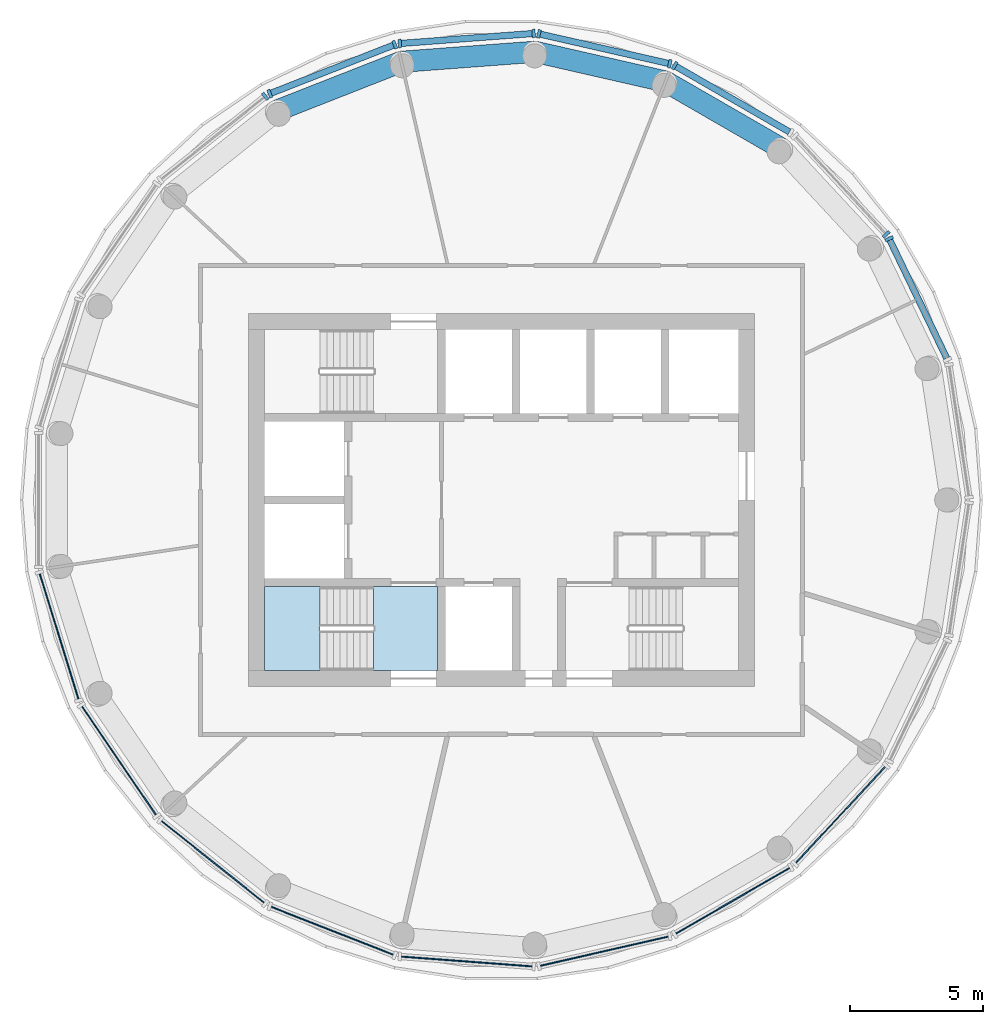
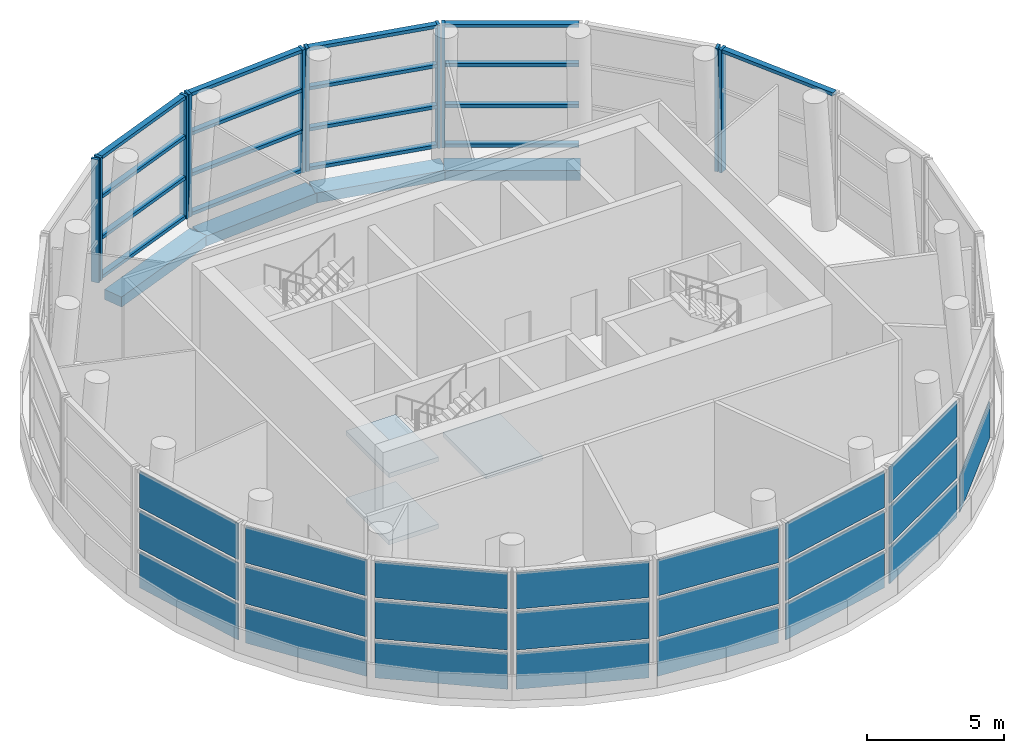
# One storey, part 3 of 10: 27 members, 22 plates, 4 beams, 3 slabs, 16 elements without a shape of their own.
"""IFC4 building model written with IfcOpenShell, lengths in metres."""

import ifcopenshell
import ifcopenshell.guid

model = None  # the IFC model being written
_history = None  # IfcOwnerHistory: only IFC2X3 demands one
_inside = {}  # id of a spatial element -> (the spatial element, [elements in it])
_under = {}  # id of a project, library or spatial element -> (it, [spatial elements below it])
_declared = {}  # id of a project -> (the project, [libraries it declares])
_typed = {}  # id of a type object -> (the type object, [elements of that type])
_made_of = {}  # id of a material, layer set ... -> (it, [elements and type objects made of it])


def new_model(schema):
    """Start an empty IFC model of exactly this schema.

    Asked for "IFC4X3", IfcOpenShell would pick the latest addendum, in which some entities
    have other attributes; the version numbers below select the first issue.
    IFC2X3 requires an IfcOwnerHistory on every rooted entity: one is made here for all.
    """
    global model, _history
    if schema == "IFC4X3":
        model = ifcopenshell.file(schema_version=(4, 3, 0, 0))
    else:
        model = ifcopenshell.file(schema=schema)
    _inside.clear()
    _under.clear()
    _declared.clear()
    _typed.clear()
    _made_of.clear()
    _history = None
    if model.schema == "IFC2X3":
        org = make("IfcOrganization", Name="unknown")
        user = make(
            "IfcPersonAndOrganization",
            ThePerson=make("IfcPerson", FamilyName="unknown"),
            TheOrganization=org,
        )
        app = make(
            "IfcApplication",
            ApplicationDeveloper=org,
            Version="unknown",
            ApplicationFullName="unknown",
            ApplicationIdentifier="unknown",
        )
        _history = make(
            "IfcOwnerHistory",
            OwningUser=user,
            OwningApplication=app,
            ChangeAction="ADDED",
            CreationDate=0,
        )
    return model


def make(cls, **values):
    """One entity of the class cls with the attributes given. An attribute that is None is left unset."""
    return model.create_entity(
        cls, **{name: value for name, value in values.items() if value is not None}
    )


def rooted(cls, **values):
    """An entity with a GlobalId (a new one), such as an element, a storey or a relation."""
    return make(cls, GlobalId=ifcopenshell.guid.new(), OwnerHistory=_history, **values)


def si_unit(unit_type, name, prefix=None):
    """IfcSIUnit, for example si_unit("LENGTHUNIT", "METRE", prefix="MILLI")."""
    return make("IfcSIUnit", UnitType=unit_type, Prefix=prefix, Name=name)


def assignment(units):
    """IfcUnitAssignment: the units of a project."""
    return None if units is None else make("IfcUnitAssignment", Units=units)


def point(xyz):
    """IfcCartesianPoint."""
    return None if xyz is None else make("IfcCartesianPoint", Coordinates=xyz)


def direction(xyz):
    """IfcDirection."""
    return None if xyz is None else make("IfcDirection", DirectionRatios=xyz)


def frame(location, z_axis=None, x_axis=None):
    """IfcAxis2Placement3D, a coordinate frame: its origin and axes. An axis left out is left unset."""
    return make(
        "IfcAxis2Placement3D",
        Location=point(location),
        Axis=direction(z_axis),
        RefDirection=direction(x_axis),
    )


def frame_2d(location, x_axis=None):
    """IfcAxis2Placement2D, a coordinate frame in the plane: its origin and x axis."""
    return make(
        "IfcAxis2Placement2D", Location=point(location), RefDirection=direction(x_axis)
    )


def origin():
    """The frame at (0, 0, 0) with its axes left unset."""
    return frame((0.0, 0.0, 0.0))


def origin_2d():
    """The frame at (0, 0) in the plane with its x axis left unset."""
    return frame_2d((0.0, 0.0))


def place(relative_to, where):
    """IfcLocalPlacement: puts the frame where relative to a parent placement (None: the world)."""
    return make(
        "IfcLocalPlacement", PlacementRelTo=relative_to, RelativePlacement=where
    )


def context(
    kind, dimensions, precision=None, world=None, true_north=None, identifier=None
):
    """IfcGeometricRepresentationContext, for example the 3D "Model" context."""
    return make(
        "IfcGeometricRepresentationContext",
        ContextIdentifier=identifier,
        ContextType=kind,
        CoordinateSpaceDimension=dimensions,
        Precision=precision,
        WorldCoordinateSystem=world,
        TrueNorth=true_north,
    )


def subcontext(parent, identifier, kind, view, scale=None):
    """IfcGeometricRepresentationSubContext, for example "Body" below "Model"."""
    return make(
        "IfcGeometricRepresentationSubContext",
        ContextIdentifier=identifier,
        ContextType=kind,
        ParentContext=parent,
        TargetScale=scale,
        TargetView=view,
    )


def project(units=None, contexts=None):
    """IfcProject with its units and contexts."""
    return rooted(
        "IfcProject",
        Name="project",
        RepresentationContexts=contexts,
        UnitsInContext=assignment(units),
    )


def spatial(cls, under=None, at=None, **own):
    """A site, building, storey or space (cls), placed at a placement, below another one or the project."""
    s = rooted(cls, ObjectPlacement=at, **own)
    if under is not None:
        _under.setdefault(under.id(), (under, []))[1].append(s)
    return s


def polyline(points):
    """IfcPolyline through the points."""
    return make("IfcPolyline", Points=[point(p) for p in points])


def profile(cls, at=None, kind="AREA", **sizes):
    """A parametric profile (cls). Its sizes go by their IFC names, for example OverallWidth=200.0."""
    return make(cls, ProfileType=kind, Position=at, **sizes)


def rectangle(**sizes):
    """IfcRectangleProfileDef."""
    return profile("IfcRectangleProfileDef", **sizes)


def outline(outer, holes=None, kind="AREA"):
    """IfcArbitraryClosedProfileDef: a profile drawn as a closed curve; with holes, ...WithVoids."""
    if holes is None:
        return make("IfcArbitraryClosedProfileDef", ProfileType=kind, OuterCurve=outer)
    return make(
        "IfcArbitraryProfileDefWithVoids",
        ProfileType=kind,
        OuterCurve=outer,
        InnerCurves=holes,
    )


def extrude(swept, where, along, depth):
    """IfcExtrudedAreaSolid: the profile swept, set in the frame where, extruded along a direction by depth."""
    return make(
        "IfcExtrudedAreaSolid",
        SweptArea=swept,
        Position=where,
        ExtrudedDirection=direction(along),
        Depth=depth,
    )


def shape(context_of_items, identifier, shape_type, items):
    """IfcShapeRepresentation: the items that make up one representation, for example the "Body"."""
    return make(
        "IfcShapeRepresentation",
        ContextOfItems=context_of_items,
        RepresentationIdentifier=identifier,
        RepresentationType=shape_type,
        Items=items,
    )


def material(Name=None, Category=None):
    """IfcMaterial."""
    return make("IfcMaterial", Name=Name, Category=Category)


def layer(
    of_material, thickness, ventilated=None, Name=None, Category=None, Priority=None
):
    """IfcMaterialLayer: one layer of a wall or slab, of a material (None: an air gap)."""
    return make(
        "IfcMaterialLayer",
        Material=of_material,
        LayerThickness=thickness,
        IsVentilated=ventilated,
        Name=Name,
        Category=Category,
        Priority=Priority,
    )


def layer_set(layers, Name=None):
    """IfcMaterialLayerSet."""
    return make("IfcMaterialLayerSet", MaterialLayers=layers, LayerSetName=Name)


def material_profile(
    of_material, cross_section, Name=None, Category=None, Priority=None
):
    """IfcMaterialProfile: a cross section and its material."""
    return make(
        "IfcMaterialProfile",
        Name=Name,
        Material=of_material,
        Profile=cross_section,
        Priority=Priority,
        Category=Category,
    )


def profile_set(profiles, Name=None, composite=None):
    """IfcMaterialProfileSet."""
    return make(
        "IfcMaterialProfileSet",
        Name=Name,
        MaterialProfiles=profiles,
        CompositeProfile=composite,
    )


def made_of(thing, what):
    """Note that an element or type object is made of a material, layer set ...; save() writes the relation."""
    if what is not None:
        _made_of.setdefault(what.id(), (what, []))[1].append(thing)
    return thing


def type_object(cls, material=None, **own):
    """A type object (cls), such as IfcWallType, which elements share."""
    return made_of(rooted(cls, **own), material)


def element(
    cls,
    number,
    at=None,
    inside=None,
    cuts=None,
    type_object=None,
    material=None,
    context=None,
    identifier="Body",
    shape_type=None,
    held_by="IfcProductDefinitionShape",
    body=None,
    shapes=None,
    **own,
):
    """One element of the class cls, such as IfcWall. Its Tag is "e" and its number.

    at: its placement. inside: the storey or other place that contains it. cuts: it is an
    opening in that element (IfcRelVoidsElement). A single representation is given by context,
    identifier, shape_type and body (its items); several are given by shapes. held_by: the class
    of the entity that holds the representations. save() writes the other relations.
    """
    e = rooted(cls, Tag="e%d" % number, ObjectPlacement=at, **own)
    if body is not None:
        shapes = [shape(context, identifier, shape_type, body)]
    if shapes is not None:
        e.Representation = make(held_by, Representations=shapes)
    if inside is not None:
        _inside.setdefault(inside.id(), (inside, []))[1].append(e)
    if cuts is not None:
        rooted(
            "IfcRelVoidsElement", RelatingBuildingElement=cuts, RelatedOpeningElement=e
        )
    if type_object is not None:
        _typed.setdefault(type_object.id(), (type_object, []))[1].append(e)
    return made_of(e, material)


def aggregate(whole, parts):
    """IfcRelAggregates: a whole, such as a stair, and the parts it consists of."""
    return rooted("IfcRelAggregates", RelatingObject=whole, RelatedObjects=parts)


def save(model, path):
    """Write the relations noted so far, then the file.

    IfcRelAggregates (storeys below a building ...), IfcRelContainedInSpatialStructure (elements
    in a storey), IfcRelDefinesByType, IfcRelAssociatesMaterial and IfcRelDeclares: one each for
    every whole, place, type object, material and project.
    """
    for whole, parts in _under.values():
        aggregate(whole, parts)
    for where, things in _inside.values():
        rooted(
            "IfcRelContainedInSpatialStructure",
            RelatedElements=things,
            RelatingStructure=where,
        )
    for kind, things in _typed.values():
        rooted("IfcRelDefinesByType", RelatedObjects=things, RelatingType=kind)
    for what, things in _made_of.values():
        rooted("IfcRelAssociatesMaterial", RelatedObjects=things, RelatingMaterial=what)
    for by, libraries in _declared.values():
        rooted("IfcRelDeclares", RelatingContext=by, RelatedDefinitions=libraries)
    model.write(path)


model = new_model("IFC4")

# Units and contexts
model_context = context("Model", 3, precision=1e-05, world=origin(), true_north=direction((0.0, 1.0)))
body_context = subcontext(model_context, "Body", "Model", "MODEL_VIEW")
ifc_project = project(units=[si_unit("LENGTHUNIT", "METRE"), si_unit("AREAUNIT", "SQUARE_METRE"), si_unit("VOLUMEUNIT", "CUBIC_METRE"), si_unit("PLANEANGLEUNIT", "RADIAN"), si_unit("MASSUNIT", "GRAM", prefix="KILO")], contexts=[model_context])

# Site, building, storey
site_placement = place(None, origin())
site = spatial("IfcSite", under=ifc_project, at=site_placement, CompositionType="ELEMENT")
building_placement = place(site_placement, origin())
building = spatial("IfcBuilding", under=site, at=building_placement, Name="Tracery Tower", CompositionType="ELEMENT")
storey_placement = place(building_placement, frame((0.0, 0.0, 352.199951171875)))
storey = spatial("IfcBuildingStorey", under=building, at=storey_placement, Name="L90", CompositionType="ELEMENT", Elevation=352.199951171875)

# Curtain wall, member
ifc_material_1 = material(Name="Aluminium curtain wall with tinted glass", Category="aluminium")
curtain_wall_type = type_object("IfcCurtainWallType", Name="Observation upper deck glazing curtain wall", PredefinedType="NOTDEFINED", material=ifc_material_1)
curtain_wall_1_placement = place(storey_placement, origin())
curtain_wall_1 = element("IfcCurtainWall", 1, at=curtain_wall_1_placement, inside=storey, type_object=curtain_wall_type, Name="Observation upper deck glazing run 01", PredefinedType="NOTDEFINED")
ifc_material_2 = material(Name="Aluminium, bronze anodised", Category="aluminium")
ifc_material_profile_1 = material_profile(ifc_material_2, rectangle(XDim=0.320068359375, YDim=0.1201171875, at=origin_2d()), Name="Observation upper deck glazing mullion 120 x 320")
ifc_profile_set_1 = profile_set([ifc_material_profile_1], Name="Aluminium, bronze anodised")
member_type_1 = type_object("IfcMemberType", Name="Observation upper deck glazing mullion 120 x 320", PredefinedType="MULLION", material=ifc_profile_set_1)
member_1_placement = place(storey_placement, frame((14.562255859375, 9.80859375, 0.0), z_axis=(0.0, 0.0, 1.0), x_axis=(-0.900966864704, -0.433887898778, 0.0)))
member_1 = element("IfcMember", 2, at=member_1_placement, type_object=member_type_1, Name="CWB5 mullion 2", PredefinedType="MULLION", context=body_context, shape_type="SweptSolid", body=[
    extrude(rectangle(XDim=0.320068359375, YDim=0.1201171875, at=origin_2d()), origin(), (0.0, 0.0, 1.0), 5.5),
])

curtain_wall_2_placement = place(storey_placement, origin())
curtain_wall_2 = element("IfcCurtainWall", 3, at=curtain_wall_2_placement, inside=storey, type_object=curtain_wall_type, Name="Observation upper deck glazing run 02", PredefinedType="NOTDEFINED")
member_2_placement = place(storey_placement, frame((14.45068359375, 9.97216796875, 0.0), z_axis=(0.0, 0.0, 1.0), x_axis=(-0.733056521048, -0.680167727071, 0.0)))
member_2 = element("IfcMember", 4, at=member_2_placement, type_object=member_type_1, Name="CWB5 mullion 1", PredefinedType="MULLION", context=body_context, shape_type="SweptSolid", body=[
    extrude(rectangle(XDim=0.320068359375, YDim=0.1201171875, at=origin_2d()), origin(), (0.0, 0.0, 1.0), 5.5),
])
aggregate(curtain_wall_2, [member_2])

curtain_wall_3_placement = place(storey_placement, origin())
curtain_wall_3 = element("IfcCurtainWall", 5, at=curtain_wall_3_placement, inside=storey, type_object=curtain_wall_type, Name="Observation upper deck glazing run 03", PredefinedType="NOTDEFINED")
member_3_placement = place(storey_placement, frame((6.50634765625, 16.3076171875, 0.0), z_axis=(0.0, 0.0, 1.0), x_axis=(-0.500004955821, -0.866022542521, 0.0)))
member_3 = element("IfcMember", 6, at=member_3_placement, type_object=member_type_1, Name="CWB5 mullion 2", PredefinedType="MULLION", context=body_context, shape_type="SweptSolid", body=[
    extrude(rectangle(XDim=0.320068359375, YDim=0.1201171875, at=origin_2d()), origin(), (0.0, 0.0, 1.0), 5.5),
])

# Curtain wall, members
curtain_wall_4_placement = place(storey_placement, origin())
curtain_wall_4 = element("IfcCurtainWall", 7, at=curtain_wall_4_placement, inside=storey, type_object=curtain_wall_type, Name="Observation upper deck glazing run 04", PredefinedType="NOTDEFINED")
member_4_placement = place(storey_placement, frame((6.322265625, 16.379638671875, 0.0), z_axis=(0.0, 0.0, 1.0), x_axis=(-0.222531044196, -0.974925604531, 0.0)))
member_4 = element("IfcMember", 8, at=member_4_placement, type_object=member_type_1, Name="CWB5 mullion 1", PredefinedType="MULLION", context=body_context, shape_type="SweptSolid", body=[
    extrude(rectangle(XDim=0.320068359375, YDim=0.1201171875, at=origin_2d()), origin(), (0.0, 0.0, 1.0), 5.5),
])
member_5_placement = place(storey_placement, frame((1.41064453125, 17.500732421875, 0.0), z_axis=(0.0, 0.0, 1.0), x_axis=(-0.222531044196, -0.974925604531, 0.0)))
member_5 = element("IfcMember", 9, at=member_5_placement, type_object=member_type_1, Name="CWB5 mullion 2", PredefinedType="MULLION", context=body_context, shape_type="SweptSolid", body=[
    extrude(rectangle(XDim=0.320068359375, YDim=0.1201171875, at=origin_2d()), origin(), (0.0, 0.0, 1.0), 5.5),
])

curtain_wall_5_placement = place(storey_placement, origin())
curtain_wall_5 = element("IfcCurtainWall", 10, at=curtain_wall_5_placement, inside=storey, type_object=curtain_wall_type, Name="Observation upper deck glazing run 05", PredefinedType="NOTDEFINED")
member_6_placement = place(storey_placement, frame((1.21337890625, 17.515625, 0.0), z_axis=(0.0, 0.0, 1.0), x_axis=(0.074737895326, -0.997203212491, 0.0)))
member_6 = element("IfcMember", 11, at=member_6_placement, type_object=member_type_1, Name="CWB5 mullion 1", PredefinedType="MULLION", context=body_context, shape_type="SweptSolid", body=[
    extrude(rectangle(XDim=0.320068359375, YDim=0.1201171875, at=origin_2d()), origin(), (0.0, 0.0, 1.0), 5.5),
])
member_7_placement = place(storey_placement, frame((-3.810546875, 17.13916015625, 0.0), z_axis=(0.0, 0.0, 1.0), x_axis=(0.074737895326, -0.997203212491, 0.0)))
member_7 = element("IfcMember", 12, at=member_7_placement, type_object=member_type_1, Name="CWB5 mullion 2", PredefinedType="MULLION", context=body_context, shape_type="SweptSolid", body=[
    extrude(rectangle(XDim=0.320068359375, YDim=0.1201171875, at=origin_2d()), origin(), (0.0, 0.0, 1.0), 5.5),
])

curtain_wall_6_placement = place(storey_placement, origin())
curtain_wall_6 = element("IfcCurtainWall", 13, at=curtain_wall_6_placement, inside=storey, type_object=curtain_wall_type, Name="Observation upper deck glazing run 06", PredefinedType="NOTDEFINED")
member_8_placement = place(storey_placement, frame((-4.003173828125, 17.094970703125, 0.0), z_axis=(0.0, 0.0, 1.0), x_axis=(0.365332643928, -0.93087703768, 0.0)))
member_8 = element("IfcMember", 14, at=member_8_placement, type_object=member_type_1, Name="CWB5 mullion 1", PredefinedType="MULLION", context=body_context, shape_type="SweptSolid", body=[
    extrude(rectangle(XDim=0.320068359375, YDim=0.1201171875, at=origin_2d()), origin(), (0.0, 0.0, 1.0), 5.5),
])
member_9_placement = place(storey_placement, frame((-8.693115234375, 15.254638671875, 0.0), z_axis=(0.0, 0.0, 1.0), x_axis=(0.365332643928, -0.93087703768, 0.0)))
member_9 = element("IfcMember", 15, at=member_9_placement, type_object=member_type_1, Name="CWB5 mullion 2", PredefinedType="MULLION", context=body_context, shape_type="SweptSolid", body=[
    extrude(rectangle(XDim=0.320068359375, YDim=0.1201171875, at=origin_2d()), origin(), (0.0, 0.0, 1.0), 5.5),
])

# Curtain wall, member
curtain_wall_7_placement = place(storey_placement, origin())
curtain_wall_7 = element("IfcCurtainWall", 16, at=curtain_wall_7_placement, inside=storey, type_object=curtain_wall_type, Name="Observation upper deck glazing run 07", PredefinedType="NOTDEFINED")
member_10_placement = place(storey_placement, frame((-8.8642578125, 15.155517578125, 0.0), z_axis=(0.0, 0.0, 1.0), x_axis=(0.623481395418, -0.781838186307, 0.0)))
member_10 = element("IfcMember", 17, at=member_10_placement, type_object=member_type_1, Name="CWB5 mullion 1", PredefinedType="MULLION", context=body_context, shape_type="SweptSolid", body=[
    extrude(rectangle(XDim=0.320068359375, YDim=0.1201171875, at=origin_2d()), origin(), (0.0, 0.0, 1.0), 5.5),
])
aggregate(curtain_wall_7, [member_10])

# Member
ifc_material_3 = material(Name="Aluminium, bronze anodised", Category="aluminium")
ifc_material_profile_2 = material_profile(ifc_material_3, rectangle(XDim=0.239990234375, YDim=0.14990234375, at=origin_2d()), Name="Observation upper deck glazing transom 150 x 240")
ifc_profile_set_2 = profile_set([ifc_material_profile_2], Name="Aluminium, bronze anodised")
member_type_2 = type_object("IfcMemberType", Name="Observation upper deck glazing transom 150 x 240", PredefinedType="USERDEFINED", material=ifc_profile_set_2)
member_11_placement = place(storey_placement, frame((16.72216796875, 5.32373046875, 5.425048828125), z_axis=(-0.433879799766, 0.900970764983, 0.0), x_axis=(-0.900970764983, -0.433879799766, 0.0)))
member_11 = element("IfcMember", 18, at=member_11_placement, type_object=member_type_2, Name="CWB5 transom 1.4", ObjectType="TRANSOM", PredefinedType="USERDEFINED", context=body_context, shape_type="SweptSolid", body=[
    extrude(rectangle(XDim=0.239990234375, YDim=0.14990234375, at=origin_2d()), origin(), (0.0, 0.0, 1.0), 4.91796875),
])

aggregate(curtain_wall_1, [member_1, member_11])

member_12_placement = place(storey_placement, frame((10.8173828125, 13.818603515625, 0.074951171875), z_axis=(-0.866022726352, 0.500004637421, 0.0), x_axis=(-0.500004637421, -0.866022726352, 0.0)))
member_12 = element("IfcMember", 19, at=member_12_placement, type_object=member_type_2, Name="CWB5 transom 1.1", ObjectType="TRANSOM", PredefinedType="USERDEFINED", context=body_context, shape_type="SweptSolid", body=[
    extrude(rectangle(XDim=0.239990234375, YDim=0.14990234375, at=origin_2d()), origin(), (0.0, 0.0, 1.0), 4.91796875),
])

member_13_placement = place(storey_placement, frame((10.8173828125, 13.818603515625, 1.833251953125), z_axis=(-0.866022726352, 0.500004637421, 0.0), x_axis=(-0.500004637421, -0.866022726352, 0.0)))
member_13 = element("IfcMember", 20, at=member_13_placement, type_object=member_type_2, Name="CWB5 transom 1.2", ObjectType="TRANSOM", PredefinedType="USERDEFINED", context=body_context, shape_type="SweptSolid", body=[
    extrude(rectangle(XDim=0.239990234375, YDim=0.14990234375, at=origin_2d()), origin(), (0.0, 0.0, 1.0), 4.91796875),
])

member_14_placement = place(storey_placement, frame((10.8173828125, 13.818603515625, 3.666748046875), z_axis=(-0.866022726352, 0.500004637421, 0.0), x_axis=(-0.500004637421, -0.866022726352, 0.0)))
member_14 = element("IfcMember", 21, at=member_14_placement, type_object=member_type_2, Name="CWB5 transom 1.3", ObjectType="TRANSOM", PredefinedType="USERDEFINED", context=body_context, shape_type="SweptSolid", body=[
    extrude(rectangle(XDim=0.239990234375, YDim=0.14990234375, at=origin_2d()), origin(), (0.0, 0.0, 1.0), 4.91796875),
])

member_15_placement = place(storey_placement, frame((10.8173828125, 13.818603515625, 5.425048828125), z_axis=(-0.866022726352, 0.500004637421, 0.0), x_axis=(-0.500004637421, -0.866022726352, 0.0)))
member_15 = element("IfcMember", 22, at=member_15_placement, type_object=member_type_2, Name="CWB5 transom 1.4", ObjectType="TRANSOM", PredefinedType="USERDEFINED", context=body_context, shape_type="SweptSolid", body=[
    extrude(rectangle(XDim=0.239990234375, YDim=0.14990234375, at=origin_2d()), origin(), (0.0, 0.0, 1.0), 4.91796875),
])

aggregate(curtain_wall_3, [member_3, member_12, member_13, member_14, member_15])

member_16_placement = place(storey_placement, frame((6.263916015625, 16.39306640625, 0.074951171875), z_axis=(-0.974922242751, 0.222545771895, 0.0), x_axis=(-0.222545771895, -0.974922242751, 0.0)))
member_16 = element("IfcMember", 23, at=member_16_placement, type_object=member_type_2, Name="CWB5 transom 1.1", ObjectType="TRANSOM", PredefinedType="USERDEFINED", context=body_context, shape_type="SweptSolid", body=[
    extrude(rectangle(XDim=0.239990234375, YDim=0.14990234375, at=origin_2d()), origin(), (0.0, 0.0, 1.0), 4.91796875),
])

member_17_placement = place(storey_placement, frame((6.263916015625, 16.39306640625, 1.833251953125), z_axis=(-0.974922242751, 0.222545771895, 0.0), x_axis=(-0.222545771895, -0.974922242751, 0.0)))
member_17 = element("IfcMember", 24, at=member_17_placement, type_object=member_type_2, Name="CWB5 transom 1.2", ObjectType="TRANSOM", PredefinedType="USERDEFINED", context=body_context, shape_type="SweptSolid", body=[
    extrude(rectangle(XDim=0.239990234375, YDim=0.14990234375, at=origin_2d()), origin(), (0.0, 0.0, 1.0), 4.91796875),
])

member_18_placement = place(storey_placement, frame((6.263916015625, 16.39306640625, 3.666748046875), z_axis=(-0.974922242751, 0.222545771895, 0.0), x_axis=(-0.222545771895, -0.974922242751, 0.0)))
member_18 = element("IfcMember", 25, at=member_18_placement, type_object=member_type_2, Name="CWB5 transom 1.3", ObjectType="TRANSOM", PredefinedType="USERDEFINED", context=body_context, shape_type="SweptSolid", body=[
    extrude(rectangle(XDim=0.239990234375, YDim=0.14990234375, at=origin_2d()), origin(), (0.0, 0.0, 1.0), 4.91796875),
])

member_19_placement = place(storey_placement, frame((6.263916015625, 16.39306640625, 5.425048828125), z_axis=(-0.974922242751, 0.222545771895, 0.0), x_axis=(-0.222545771895, -0.974922242751, 0.0)))
member_19 = element("IfcMember", 26, at=member_19_placement, type_object=member_type_2, Name="CWB5 transom 1.4", ObjectType="TRANSOM", PredefinedType="USERDEFINED", context=body_context, shape_type="SweptSolid", body=[
    extrude(rectangle(XDim=0.239990234375, YDim=0.14990234375, at=origin_2d()), origin(), (0.0, 0.0, 1.0), 4.91796875),
])

aggregate(curtain_wall_4, [member_4, member_5, member_16, member_17, member_18, member_19])

member_20_placement = place(storey_placement, frame((1.153564453125, 17.51123046875, 0.074951171875), z_axis=(-0.997201530828, -0.07476032982, 0.0), x_axis=(0.07476032982, -0.997201530828, 0.0)))
member_20 = element("IfcMember", 27, at=member_20_placement, type_object=member_type_2, Name="CWB5 transom 1.1", ObjectType="TRANSOM", PredefinedType="USERDEFINED", context=body_context, shape_type="SweptSolid", body=[
    extrude(rectangle(XDim=0.239990234375, YDim=0.14990234375, at=origin_2d()), origin(), (0.0, 0.0, 1.0), 4.91796875),
])

member_21_placement = place(storey_placement, frame((1.153564453125, 17.51123046875, 1.833251953125), z_axis=(-0.997201530828, -0.07476032982, 0.0), x_axis=(0.07476032982, -0.997201530828, 0.0)))
member_21 = element("IfcMember", 28, at=member_21_placement, type_object=member_type_2, Name="CWB5 transom 1.2", ObjectType="TRANSOM", PredefinedType="USERDEFINED", context=body_context, shape_type="SweptSolid", body=[
    extrude(rectangle(XDim=0.239990234375, YDim=0.14990234375, at=origin_2d()), origin(), (0.0, 0.0, 1.0), 4.91796875),
])

member_22_placement = place(storey_placement, frame((1.153564453125, 17.51123046875, 3.666748046875), z_axis=(-0.997201530828, -0.07476032982, 0.0), x_axis=(0.07476032982, -0.997201530828, 0.0)))
member_22 = element("IfcMember", 29, at=member_22_placement, type_object=member_type_2, Name="CWB5 transom 1.3", ObjectType="TRANSOM", PredefinedType="USERDEFINED", context=body_context, shape_type="SweptSolid", body=[
    extrude(rectangle(XDim=0.239990234375, YDim=0.14990234375, at=origin_2d()), origin(), (0.0, 0.0, 1.0), 4.91796875),
])

member_23_placement = place(storey_placement, frame((1.153564453125, 17.51123046875, 5.425048828125), z_axis=(-0.997201530828, -0.07476032982, 0.0), x_axis=(0.07476032982, -0.997201530828, 0.0)))
member_23 = element("IfcMember", 30, at=member_23_placement, type_object=member_type_2, Name="CWB5 transom 1.4", ObjectType="TRANSOM", PredefinedType="USERDEFINED", context=body_context, shape_type="SweptSolid", body=[
    extrude(rectangle(XDim=0.239990234375, YDim=0.14990234375, at=origin_2d()), origin(), (0.0, 0.0, 1.0), 4.91796875),
])

aggregate(curtain_wall_5, [member_6, member_7, member_20, member_21, member_22, member_23])

member_24_placement = place(storey_placement, frame((-4.05908203125, 17.0732421875, 0.074951171875), z_axis=(-0.930867293919, -0.36535747031, 0.0), x_axis=(0.36535747031, -0.930867293919, 0.0)))
member_24 = element("IfcMember", 31, at=member_24_placement, type_object=member_type_2, Name="CWB5 transom 1.1", ObjectType="TRANSOM", PredefinedType="USERDEFINED", context=body_context, shape_type="SweptSolid", body=[
    extrude(rectangle(XDim=0.239990234375, YDim=0.14990234375, at=origin_2d()), origin(), (0.0, 0.0, 1.0), 4.918212890625),
])

member_25_placement = place(storey_placement, frame((-4.05908203125, 17.0732421875, 1.833251953125), z_axis=(-0.930867293919, -0.36535747031, 0.0), x_axis=(0.36535747031, -0.930867293919, 0.0)))
member_25 = element("IfcMember", 32, at=member_25_placement, type_object=member_type_2, Name="CWB5 transom 1.2", ObjectType="TRANSOM", PredefinedType="USERDEFINED", context=body_context, shape_type="SweptSolid", body=[
    extrude(rectangle(XDim=0.239990234375, YDim=0.14990234375, at=origin_2d()), origin(), (0.0, 0.0, 1.0), 4.918212890625),
])

member_26_placement = place(storey_placement, frame((-4.05908203125, 17.0732421875, 3.666748046875), z_axis=(-0.930867293919, -0.36535747031, 0.0), x_axis=(0.36535747031, -0.930867293919, 0.0)))
member_26 = element("IfcMember", 33, at=member_26_placement, type_object=member_type_2, Name="CWB5 transom 1.3", ObjectType="TRANSOM", PredefinedType="USERDEFINED", context=body_context, shape_type="SweptSolid", body=[
    extrude(rectangle(XDim=0.239990234375, YDim=0.14990234375, at=origin_2d()), origin(), (0.0, 0.0, 1.0), 4.918212890625),
])

member_27_placement = place(storey_placement, frame((-4.05908203125, 17.0732421875, 5.425048828125), z_axis=(-0.930867293919, -0.36535747031, 0.0), x_axis=(0.36535747031, -0.930867293919, 0.0)))
member_27 = element("IfcMember", 34, at=member_27_placement, type_object=member_type_2, Name="CWB5 transom 1.4", ObjectType="TRANSOM", PredefinedType="USERDEFINED", context=body_context, shape_type="SweptSolid", body=[
    extrude(rectangle(XDim=0.239990234375, YDim=0.14990234375, at=origin_2d()), origin(), (0.0, 0.0, 1.0), 4.918212890625),
])

aggregate(curtain_wall_6, [member_8, member_9, member_24, member_25, member_26, member_27])

# Beams
ifc_material_4 = material(Name="Concrete C40/50", Category="concrete")
ifc_material_profile_3 = material_profile(ifc_material_4, rectangle(XDim=0.800048828125, YDim=0.449951171875, at=origin_2d()), Name="RC 800x450")
ifc_profile_set_3 = profile_set([ifc_material_profile_3], Name="Concrete C40/50")
beam_type = type_object("IfcBeamType", Name="Perimeter band beam 800x450", PredefinedType="BEAM", material=ifc_profile_set_3)
for number, where, z_axis, x_axis, name in (
    (35, (10.521728515625, 13.193603515625, -0.574951171875), (-0.866009394125, 0.500027728518, 0.0), (-0.500027728518, -0.866009394125, 0.0), "Perimeter beam 2.03 under L90"),
    (36, (6.165283203125, 15.708984375, -0.574951171875), (-0.974927437473, 0.22252301378, 0.0), (-0.22252301378, -0.974927437473, 0.0), "Perimeter beam 2.04 under L90"),
):
    element("IfcBeam", number, at=place(storey_placement, frame(where, z_axis=z_axis, x_axis=x_axis)), inside=storey, type_object=beam_type, Name=name, PredefinedType="BEAM", context=body_context, shape_type="SweptSolid", body=[
        extrude(rectangle(XDim=0.800048828125, YDim=0.449951171875, at=origin_2d()), origin(), (0.0, 0.0, 1.0), 5.030517578125),
    ])
for number, where, z_axis, x_axis, name in (
    (37, (1.260986328125, 16.828369140625, -0.574951171875), (-0.997202747619, -0.074744097699, 0.0), (0.074744097699, -0.997202747619, 0.0), "Perimeter beam 2.05 under L90"),
    (38, (-3.755126953125, 16.452392578125, -0.574951171875), (-0.93086706858, -0.365358044435, 0.0), (0.365358044435, -0.93086706858, 0.0), "Perimeter beam 2.06 under L90"),
):
    element("IfcBeam", number, at=place(storey_placement, frame(where, z_axis=z_axis, x_axis=x_axis)), inside=storey, type_object=beam_type, Name=name, PredefinedType="BEAM", context=body_context, shape_type="SweptSolid", body=[
        extrude(rectangle(XDim=0.800048828125, YDim=0.449951171875, at=origin_2d()), origin(), (0.0, 0.0, 1.0), 5.0302734375),
    ])

# Curtain wall, plates
curtain_wall_8_placement = place(storey_placement, origin())
curtain_wall_8 = element("IfcCurtainWall", 39, at=curtain_wall_8_placement, inside=storey, type_object=curtain_wall_type, Name="Observation upper deck glazing run 11", PredefinedType="NOTDEFINED")
ifc_material_5 = material(Name="Tinted laminated glass", Category="glass")
ifc_layer_1 = layer(ifc_material_5, 0.048095703125)
ifc_layer_set_1 = layer_set([ifc_layer_1], Name="Observation upper deck glazing glass panel 48")
plate_type = type_object("IfcPlateType", Name="Observation upper deck glazing glass panel 48", PredefinedType="CURTAIN_PANEL", material=ifc_layer_set_1)
plate_1_placement = place(storey_placement, frame((-16.60400390625, -5.12158203125, 0.14990234375), z_axis=(0.0, 0.0, 1.0), x_axis=(0.294743791615, -0.95557631684, 0.0)))
plate_1 = element("IfcPlate", 40, at=plate_1_placement, type_object=plate_type, Name="CWB5 panel 1.1", PredefinedType="CURTAIN_PANEL", context=body_context, shape_type="SweptSolid", body=[
    extrude(rectangle(XDim=4.91796875, YDim=0.048095703125, at=origin_2d()), origin(), (0.0, 0.0, 1.0), 1.6083984375),
])
plate_2_placement = place(storey_placement, frame((-16.60400390625, -5.12158203125, 1.908203125), z_axis=(0.0, 0.0, 1.0), x_axis=(0.294743791615, -0.95557631684, 0.0)))
plate_2 = element("IfcPlate", 41, at=plate_2_placement, type_object=plate_type, Name="CWB5 panel 1.2", PredefinedType="CURTAIN_PANEL", context=body_context, shape_type="SweptSolid", body=[
    extrude(rectangle(XDim=4.91796875, YDim=0.048095703125, at=origin_2d()), origin(), (0.0, 0.0, 1.0), 1.683349609375),
])
plate_3_placement = place(storey_placement, frame((-16.60400390625, -5.12158203125, 3.74169921875), z_axis=(0.0, 0.0, 1.0), x_axis=(0.294743791615, -0.95557631684, 0.0)))
plate_3 = element("IfcPlate", 42, at=plate_3_placement, type_object=plate_type, Name="CWB5 panel 1.3", PredefinedType="CURTAIN_PANEL", context=body_context, shape_type="SweptSolid", body=[
    extrude(rectangle(XDim=4.91796875, YDim=0.048095703125, at=origin_2d()), origin(), (0.0, 0.0, 1.0), 1.6083984375),
])
aggregate(curtain_wall_8, [plate_1, plate_2, plate_3])

curtain_wall_9_placement = place(storey_placement, origin())
curtain_wall_9 = element("IfcCurtainWall", 43, at=curtain_wall_9_placement, inside=storey, type_object=curtain_wall_type, Name="Observation upper deck glazing run 12", PredefinedType="NOTDEFINED")
plate_4_placement = place(storey_placement, frame((-14.356689453125, -9.7880859375, 0.14990234375), z_axis=(0.0, 0.0, 1.0), x_axis=(0.563313964504, -0.826242928802, 0.0)))
plate_4 = element("IfcPlate", 44, at=plate_4_placement, type_object=plate_type, Name="CWB5 panel 1.1", PredefinedType="CURTAIN_PANEL", context=body_context, shape_type="SweptSolid", body=[
    extrude(rectangle(XDim=4.91796875, YDim=0.048095703125, at=origin_2d()), origin(), (0.0, 0.0, 1.0), 1.6083984375),
])
plate_5_placement = place(storey_placement, frame((-14.356689453125, -9.7880859375, 1.908203125), z_axis=(0.0, 0.0, 1.0), x_axis=(0.563313964504, -0.826242928802, 0.0)))
plate_5 = element("IfcPlate", 45, at=plate_5_placement, type_object=plate_type, Name="CWB5 panel 1.2", PredefinedType="CURTAIN_PANEL", context=body_context, shape_type="SweptSolid", body=[
    extrude(rectangle(XDim=4.91796875, YDim=0.048095703125, at=origin_2d()), origin(), (0.0, 0.0, 1.0), 1.683349609375),
])
plate_6_placement = place(storey_placement, frame((-14.356689453125, -9.7880859375, 3.74169921875), z_axis=(0.0, 0.0, 1.0), x_axis=(0.563313964504, -0.826242928802, 0.0)))
plate_6 = element("IfcPlate", 46, at=plate_6_placement, type_object=plate_type, Name="CWB5 panel 1.3", PredefinedType="CURTAIN_PANEL", context=body_context, shape_type="SweptSolid", body=[
    extrude(rectangle(XDim=4.91796875, YDim=0.048095703125, at=origin_2d()), origin(), (0.0, 0.0, 1.0), 1.6083984375),
])
aggregate(curtain_wall_9, [plate_4, plate_5, plate_6])

curtain_wall_10_placement = place(storey_placement, origin())
curtain_wall_10 = element("IfcCurtainWall", 47, at=curtain_wall_10_placement, inside=storey, type_object=curtain_wall_type, Name="Observation upper deck glazing run 13", PredefinedType="NOTDEFINED")
plate_7_placement = place(storey_placement, frame((-10.833740234375, -13.5849609375, 0.14990234375), z_axis=(0.0, 0.0, 1.0), x_axis=(0.781838186307, -0.623481395418, 0.0)))
plate_7 = element("IfcPlate", 48, at=plate_7_placement, type_object=plate_type, Name="CWB5 panel 1.1", PredefinedType="CURTAIN_PANEL", context=body_context, shape_type="SweptSolid", body=[
    extrude(rectangle(XDim=4.91796875, YDim=0.048095703125, at=origin_2d()), origin(), (0.0, 0.0, 1.0), 1.6083984375),
])
plate_8_placement = place(storey_placement, frame((-10.833740234375, -13.5849609375, 1.908203125), z_axis=(0.0, 0.0, 1.0), x_axis=(0.781838186307, -0.623481395418, 0.0)))
plate_8 = element("IfcPlate", 49, at=plate_8_placement, type_object=plate_type, Name="CWB5 panel 1.2", PredefinedType="CURTAIN_PANEL", context=body_context, shape_type="SweptSolid", body=[
    extrude(rectangle(XDim=4.91796875, YDim=0.048095703125, at=origin_2d()), origin(), (0.0, 0.0, 1.0), 1.683349609375),
])
plate_9_placement = place(storey_placement, frame((-10.833740234375, -13.5849609375, 3.74169921875), z_axis=(0.0, 0.0, 1.0), x_axis=(0.781838186307, -0.623481395418, 0.0)))
plate_9 = element("IfcPlate", 50, at=plate_9_placement, type_object=plate_type, Name="CWB5 panel 1.3", PredefinedType="CURTAIN_PANEL", context=body_context, shape_type="SweptSolid", body=[
    extrude(rectangle(XDim=4.91796875, YDim=0.048095703125, at=origin_2d()), origin(), (0.0, 0.0, 1.0), 1.6083984375),
])
aggregate(curtain_wall_10, [plate_7, plate_8, plate_9])

curtain_wall_11_placement = place(storey_placement, origin())
curtain_wall_11 = element("IfcCurtainWall", 51, at=curtain_wall_11_placement, inside=storey, type_object=curtain_wall_type, Name="Observation upper deck glazing run 14", PredefinedType="NOTDEFINED")
plate_10_placement = place(storey_placement, frame((-6.34814453125, -16.1748046875, 0.14990234375), z_axis=(0.0, 0.0, 1.0), x_axis=(0.93087703768, -0.365332643928, 0.0)))
plate_10 = element("IfcPlate", 52, at=plate_10_placement, type_object=plate_type, Name="CWB5 panel 1.1", PredefinedType="CURTAIN_PANEL", context=body_context, shape_type="SweptSolid", body=[
    extrude(rectangle(XDim=4.91796875, YDim=0.048095703125, at=origin_2d()), origin(), (0.0, 0.0, 1.0), 1.6083984375),
])
plate_11_placement = place(storey_placement, frame((-6.34814453125, -16.1748046875, 1.908203125), z_axis=(0.0, 0.0, 1.0), x_axis=(0.93087703768, -0.365332643928, 0.0)))
plate_11 = element("IfcPlate", 53, at=plate_11_placement, type_object=plate_type, Name="CWB5 panel 1.2", PredefinedType="CURTAIN_PANEL", context=body_context, shape_type="SweptSolid", body=[
    extrude(rectangle(XDim=4.91796875, YDim=0.048095703125, at=origin_2d()), origin(), (0.0, 0.0, 1.0), 1.683349609375),
])
plate_12_placement = place(storey_placement, frame((-6.34814453125, -16.1748046875, 3.74169921875), z_axis=(0.0, 0.0, 1.0), x_axis=(0.93087703768, -0.365332643928, 0.0)))
plate_12 = element("IfcPlate", 54, at=plate_12_placement, type_object=plate_type, Name="CWB5 panel 1.3", PredefinedType="CURTAIN_PANEL", context=body_context, shape_type="SweptSolid", body=[
    extrude(rectangle(XDim=4.91796875, YDim=0.048095703125, at=origin_2d()), origin(), (0.0, 0.0, 1.0), 1.6083984375),
])
aggregate(curtain_wall_11, [plate_10, plate_11, plate_12])

curtain_wall_12_placement = place(storey_placement, origin())
curtain_wall_12 = element("IfcCurtainWall", 55, at=curtain_wall_12_placement, inside=storey, type_object=curtain_wall_type, Name="Observation upper deck glazing run 15", PredefinedType="NOTDEFINED")
plate_13_placement = place(storey_placement, frame((-1.298583984375, -17.327392578125, 0.14990234375), z_axis=(0.0, 0.0, 1.0), x_axis=(0.997203212491, -0.074737895326, 0.0)))
plate_13 = element("IfcPlate", 56, at=plate_13_placement, type_object=plate_type, Name="CWB5 panel 1.1", PredefinedType="CURTAIN_PANEL", context=body_context, shape_type="SweptSolid", body=[
    extrude(rectangle(XDim=4.91796875, YDim=0.048095703125, at=origin_2d()), origin(), (0.0, 0.0, 1.0), 1.6083984375),
])
plate_14_placement = place(storey_placement, frame((-1.298583984375, -17.327392578125, 1.908203125), z_axis=(0.0, 0.0, 1.0), x_axis=(0.997203212491, -0.074737895326, 0.0)))
plate_14 = element("IfcPlate", 57, at=plate_14_placement, type_object=plate_type, Name="CWB5 panel 1.2", PredefinedType="CURTAIN_PANEL", context=body_context, shape_type="SweptSolid", body=[
    extrude(rectangle(XDim=4.91796875, YDim=0.048095703125, at=origin_2d()), origin(), (0.0, 0.0, 1.0), 1.683349609375),
])
plate_15_placement = place(storey_placement, frame((-1.298583984375, -17.327392578125, 3.74169921875), z_axis=(0.0, 0.0, 1.0), x_axis=(0.997203212491, -0.074737895326, 0.0)))
plate_15 = element("IfcPlate", 58, at=plate_15_placement, type_object=plate_type, Name="CWB5 panel 1.3", PredefinedType="CURTAIN_PANEL", context=body_context, shape_type="SweptSolid", body=[
    extrude(rectangle(XDim=4.91796875, YDim=0.048095703125, at=origin_2d()), origin(), (0.0, 0.0, 1.0), 1.6083984375),
])
aggregate(curtain_wall_12, [plate_13, plate_14, plate_15])

curtain_wall_13_placement = place(storey_placement, origin())
curtain_wall_13 = element("IfcCurtainWall", 59, at=curtain_wall_13_placement, inside=storey, type_object=curtain_wall_type, Name="Observation upper deck glazing run 16", PredefinedType="NOTDEFINED")
plate_16_placement = place(storey_placement, frame((3.866455078125, -16.940185546875, 0.14990234375), z_axis=(0.0, 0.0, 1.0), x_axis=(0.974925604531, 0.222531044196, 0.0)))
plate_16 = element("IfcPlate", 60, at=plate_16_placement, type_object=plate_type, Name="CWB5 panel 1.1", PredefinedType="CURTAIN_PANEL", context=body_context, shape_type="SweptSolid", body=[
    extrude(rectangle(XDim=4.91796875, YDim=0.048095703125, at=origin_2d()), origin(), (0.0, 0.0, 1.0), 1.6083984375),
])
plate_17_placement = place(storey_placement, frame((3.866455078125, -16.940185546875, 1.908203125), z_axis=(0.0, 0.0, 1.0), x_axis=(0.974925604531, 0.222531044196, 0.0)))
plate_17 = element("IfcPlate", 61, at=plate_17_placement, type_object=plate_type, Name="CWB5 panel 1.2", PredefinedType="CURTAIN_PANEL", context=body_context, shape_type="SweptSolid", body=[
    extrude(rectangle(XDim=4.91796875, YDim=0.048095703125, at=origin_2d()), origin(), (0.0, 0.0, 1.0), 1.683349609375),
])
plate_18_placement = place(storey_placement, frame((3.866455078125, -16.940185546875, 3.74169921875), z_axis=(0.0, 0.0, 1.0), x_axis=(0.974925604531, 0.222531044196, 0.0)))
plate_18 = element("IfcPlate", 62, at=plate_18_placement, type_object=plate_type, Name="CWB5 panel 1.3", PredefinedType="CURTAIN_PANEL", context=body_context, shape_type="SweptSolid", body=[
    extrude(rectangle(XDim=4.91796875, YDim=0.048095703125, at=origin_2d()), origin(), (0.0, 0.0, 1.0), 1.6083984375),
])
aggregate(curtain_wall_13, [plate_16, plate_17, plate_18])

curtain_wall_14_placement = place(storey_placement, origin())
curtain_wall_14 = element("IfcCurtainWall", 63, at=curtain_wall_14_placement, inside=storey, type_object=curtain_wall_type, Name="Observation upper deck glazing run 17", PredefinedType="NOTDEFINED")
plate_19_placement = place(storey_placement, frame((8.68798828125, -15.048095703125, 0.14990234375), z_axis=(0.0, 0.0, 1.0), x_axis=(0.866022542521, 0.500004955821, 0.0)))
plate_19 = element("IfcPlate", 64, at=plate_19_placement, type_object=plate_type, Name="CWB5 panel 1.1", PredefinedType="CURTAIN_PANEL", context=body_context, shape_type="SweptSolid", body=[
    extrude(rectangle(XDim=4.91796875, YDim=0.048095703125, at=origin_2d()), origin(), (0.0, 0.0, 1.0), 1.6083984375),
])
plate_20_placement = place(storey_placement, frame((8.68798828125, -15.048095703125, 1.908203125), z_axis=(0.0, 0.0, 1.0), x_axis=(0.866022542521, 0.500004955821, 0.0)))
plate_20 = element("IfcPlate", 65, at=plate_20_placement, type_object=plate_type, Name="CWB5 panel 1.2", PredefinedType="CURTAIN_PANEL", context=body_context, shape_type="SweptSolid", body=[
    extrude(rectangle(XDim=4.91796875, YDim=0.048095703125, at=origin_2d()), origin(), (0.0, 0.0, 1.0), 1.683349609375),
])
plate_21_placement = place(storey_placement, frame((8.68798828125, -15.048095703125, 3.74169921875), z_axis=(0.0, 0.0, 1.0), x_axis=(0.866022542521, 0.500004955821, 0.0)))
plate_21 = element("IfcPlate", 66, at=plate_21_placement, type_object=plate_type, Name="CWB5 panel 1.3", PredefinedType="CURTAIN_PANEL", context=body_context, shape_type="SweptSolid", body=[
    extrude(rectangle(XDim=4.91796875, YDim=0.048095703125, at=origin_2d()), origin(), (0.0, 0.0, 1.0), 1.6083984375),
])
aggregate(curtain_wall_14, [plate_19, plate_20, plate_21])

# Curtain wall, plate
curtain_wall_15_placement = place(storey_placement, origin())
curtain_wall_15 = element("IfcCurtainWall", 67, at=curtain_wall_15_placement, inside=storey, type_object=curtain_wall_type, Name="Observation upper deck glazing run 18", PredefinedType="NOTDEFINED")
plate_22_placement = place(storey_placement, frame((12.737548828125, -11.818603515625, 0.14990234375), z_axis=(0.0, 0.0, 1.0), x_axis=(0.680167727071, 0.733056521048, 0.0)))
plate_22 = element("IfcPlate", 68, at=plate_22_placement, type_object=plate_type, Name="CWB5 panel 1.1", PredefinedType="CURTAIN_PANEL", context=body_context, shape_type="SweptSolid", body=[
    extrude(rectangle(XDim=4.91796875, YDim=0.048095703125, at=origin_2d()), origin(), (0.0, 0.0, 1.0), 1.6083984375),
])
aggregate(curtain_wall_15, [plate_22])

# Stair, slabs
ifc_material_6 = material(Name="Concrete C32/40", Category="concrete")
stair_type = type_object("IfcStairType", Name="Core stair 36 risers", PredefinedType="HALF_TURN_STAIR", material=ifc_material_6)
stair_placement = place(storey_placement, origin())
stair = element("IfcStair", 69, at=stair_placement, inside=storey, type_object=stair_type, Name="L90 stair ST1", PredefinedType="HALF_TURN_STAIR")
ifc_material_7 = material(Name="Concrete C32/40", Category="concrete")
ifc_layer_2 = layer(ifc_material_7, 0.199951171875)
ifc_layer_set_2 = layer_set([ifc_layer_2], Name="Stair landing slab 200")
slab_type = type_object("IfcSlabType", Name="Stair landing slab 200", PredefinedType="LANDING", material=ifc_layer_set_2)
slab_1_placement = place(storey_placement, frame((0.0, 0.0, 1.300048828125)))
slab_1 = element("IfcSlab", 70, at=slab_1_placement, type_object=slab_type, Name="ST1 landing 1", PredefinedType="LANDING", context=body_context, shape_type="SweptSolid", body=[
    extrude(outline(polyline([(-6.79931640625, -3.25), (-8.89990234375, -3.25), (-8.89990234375, -6.39990234375), (-6.79931640625, -6.39990234375), (-6.79931640625, -3.25)])), origin(), (0.0, 0.0, 1.0), 0.199951171875),
])
slab_2_placement = place(storey_placement, frame((0.0, 0.0, 2.800048828125)))
slab_2 = element("IfcSlab", 71, at=slab_2_placement, type_object=slab_type, Name="ST1 landing 2", PredefinedType="LANDING", context=body_context, shape_type="SweptSolid", body=[
    extrude(outline(polyline([(-2.39990234375, -3.25), (-4.800537109375, -3.25), (-4.800537109375, -6.39990234375), (-2.39990234375, -6.39990234375), (-2.39990234375, -3.25)])), origin(), (0.0, 0.0, 1.0), 0.199951171875),
])
slab_3_placement = place(storey_placement, frame((0.0, 0.0, 4.300048828125)))
slab_3 = element("IfcSlab", 72, at=slab_3_placement, type_object=slab_type, Name="ST1 landing 3", PredefinedType="LANDING", context=body_context, shape_type="SweptSolid", body=[
    extrude(outline(polyline([(-6.79931640625, -3.25), (-8.89990234375, -3.25), (-8.89990234375, -6.39990234375), (-6.79931640625, -6.39990234375), (-6.79931640625, -3.25)])), origin(), (0.0, 0.0, 1.0), 0.199951171875),
])
aggregate(stair, [slab_1, slab_2, slab_3])

save(model, "model.ifc")
